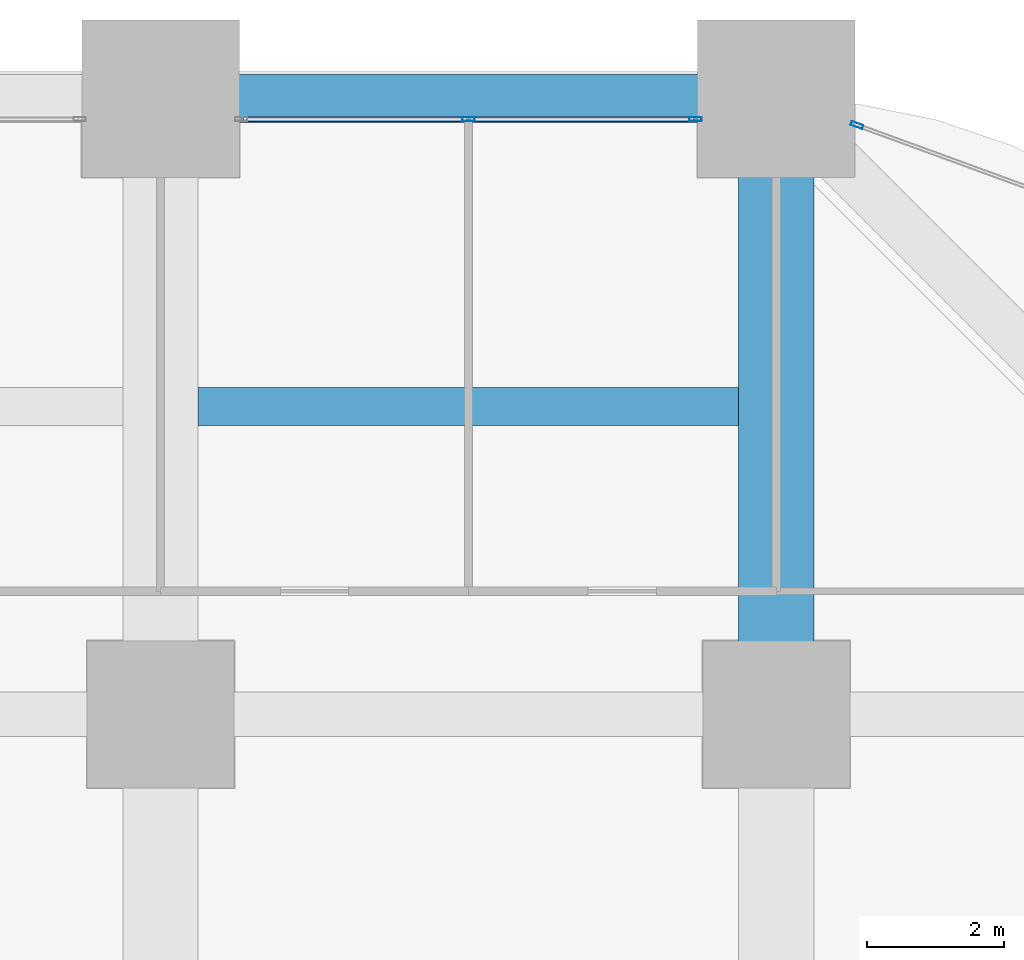
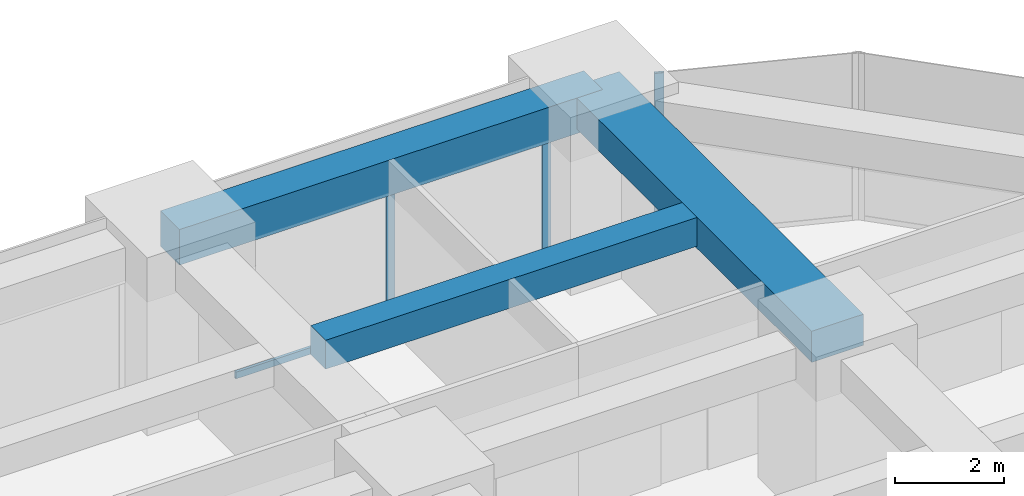
# One storey, part 36 of 44: 4 members, 3 beams, 2 elements without a shape of their own.
"""IFC4 building model written with IfcOpenShell, lengths in metres."""

from ifc_helpers import new_model, si_unit, direction, frame, origin, origin_2d, place, context, subcontext, project, spatial, rectangle, hollow_rectangle, extrude, material, material_profile, profile_set, type_object, element, aggregate, save


model = new_model("IFC4")

# Units and contexts
model_context = context("Model", 3, precision=1e-05, world=origin(), true_north=direction((0.0, 1.0)))
body_context = subcontext(model_context, "Body", "Model", "MODEL_VIEW")
ifc_project = project(units=[si_unit("LENGTHUNIT", "METRE"), si_unit("AREAUNIT", "SQUARE_METRE"), si_unit("VOLUMEUNIT", "CUBIC_METRE"), si_unit("PLANEANGLEUNIT", "RADIAN"), si_unit("MASSUNIT", "GRAM", prefix="KILO")], contexts=[model_context])

# Site, building, storey
site_placement = place(None, origin())
site = spatial("IfcSite", under=ifc_project, at=site_placement, CompositionType="ELEMENT")
building_placement = place(site_placement, origin())
building = spatial("IfcBuilding", under=site, at=building_placement, Name="Zorevar Civic Tower", CompositionType="ELEMENT")
storey_placement = place(building_placement, frame((0.0, 0.0, 59.800048828125)))
storey = spatial("IfcBuildingStorey", under=building, at=storey_placement, Name="L14", CompositionType="ELEMENT", Elevation=59.800048828125)

# Beams
ifc_material_1 = material(Name="Concrete C50/60", Category="concrete")
ifc_material_profile_1 = material_profile(ifc_material_1, rectangle(XDim=1.10009765625, YDim=0.699951171875, at=origin_2d()), Name="RC 1100x700")
ifc_profile_set_1 = profile_set([ifc_material_profile_1], Name="Concrete C50/60")
beam_type_1 = type_object("IfcBeamType", Name="Beam RC 1100x700", PredefinedType="BEAM", material=ifc_profile_set_1)
beam_1_placement = place(storey_placement, frame((54.0, 45.0, 3.39990234375), z_axis=(0.0, 1.0, 0.0), x_axis=(-1.0, 0.0, 0.0)))
element("IfcBeam", 1, at=beam_1_placement, inside=storey, type_object=beam_type_1, Name="Girder L15", PredefinedType="BEAM", context=body_context, shape_type="SweptSolid", body=[
    extrude(rectangle(XDim=1.10009765625, YDim=0.699951171875, at=origin_2d()), origin(), (0.0, 0.0, 1.0), 9.0),
])
ifc_material_2 = material(Name="Concrete C50/60", Category="concrete")
ifc_material_profile_2 = material_profile(ifc_material_2, rectangle(XDim=0.550048828125, YDim=0.64990234375, at=origin_2d()), Name="RC 550x650")
ifc_profile_set_2 = profile_set([ifc_material_profile_2], Name="Concrete C50/60")
beam_type_2 = type_object("IfcBeamType", Name="Beam RC 550x650", PredefinedType="BEAM", material=ifc_profile_set_2)
beam_2_placement = place(storey_placement, frame((45.550048828125, 49.5, 3.425048828125), z_axis=(1.0, 0.0, 0.0), x_axis=(0.0, 1.0, 0.0)))
element("IfcBeam", 2, at=beam_2_placement, inside=storey, type_object=beam_type_2, Name="Secondary beam L15", PredefinedType="BEAM", context=body_context, shape_type="SweptSolid", body=[
    extrude(rectangle(XDim=0.550048828125, YDim=0.64990234375, at=origin_2d()), origin(), (0.0, 0.0, 1.0), 7.89990234375),
])

# Curtain wall, members
ifc_material_3 = material(Name="Dark grey solar-control glass in black aluminium frame", Category="aluminium")
curtain_wall_type = type_object("IfcCurtainWallType", Name="Curtain wall CW2 low zone", PredefinedType="NOTDEFINED", material=ifc_material_3)
curtain_wall_1_placement = place(storey_placement, origin())
curtain_wall_1 = element("IfcCurtainWall", 3, at=curtain_wall_1_placement, inside=storey, type_object=curtain_wall_type, Name="CW2 L14", PredefinedType="NOTDEFINED")
ifc_material_4 = material(Name="Aluminium, black anodised", Category="aluminium")
ifc_material_profile_3 = material_profile(ifc_material_4, hollow_rectangle(XDim=0.06005859375, YDim=0.179931640625, WallThickness=0.00390625, at=origin_2d()), Name="AL 180x60x4")
ifc_profile_set_3 = profile_set([ifc_material_profile_3], Name="Aluminium, black anodised")
member_type_1 = type_object("IfcMemberType", Name="CW2 mullion AL 180x60x4", PredefinedType="MULLION", material=ifc_profile_set_3)
member_1_placement = place(storey_placement, frame((49.5, 53.699951171875, 0.06005859375), z_axis=(0.0, 0.0, 1.0), x_axis=(0.0, 1.0, 0.0)))
member_1 = element("IfcMember", 4, at=member_1_placement, type_object=member_type_1, Name="CW2 mullion 2", PredefinedType="MULLION", context=body_context, shape_type="SweptSolid", body=[
    extrude(hollow_rectangle(XDim=0.06005859375, YDim=0.179931640625, WallThickness=0.00390625, at=origin_2d()), origin(), (0.0, 0.0, 1.0), 2.889892578125),
])
member_2_placement = place(storey_placement, frame((52.820068359375, 53.699951171875, 0.0), z_axis=(0.0, 0.0, 1.0), x_axis=(0.0, 1.0, 0.0)))
member_2 = element("IfcMember", 5, at=member_2_placement, type_object=member_type_1, Name="CW2 mullion 3", PredefinedType="MULLION", context=body_context, shape_type="SweptSolid", body=[
    extrude(hollow_rectangle(XDim=0.06005859375, YDim=0.179931640625, WallThickness=0.00390625, at=origin_2d()), origin(), (0.0, 0.0, 1.0), 2.949951171875),
])

# Curtain wall, member
curtain_wall_2_placement = place(storey_placement, origin())
curtain_wall_2 = element("IfcCurtainWall", 6, at=curtain_wall_2_placement, inside=storey, type_object=curtain_wall_type, Name="CW2 L14", PredefinedType="NOTDEFINED")
member_3_placement = place(storey_placement, frame((55.17822265625, 53.61328125, 0.0), z_axis=(0.0, 0.0, 1.0), x_axis=(-0.343060400701, -0.939313345732, 0.0)))
member_3 = element("IfcMember", 7, at=member_3_placement, type_object=member_type_1, Name="CW2 mullion 2", PredefinedType="MULLION", context=body_context, shape_type="SweptSolid", body=[
    extrude(hollow_rectangle(XDim=0.06005859375, YDim=0.179931640625, WallThickness=0.00390625, at=origin_2d()), origin(), (0.0, 0.0, 1.0), 3.75),
])
aggregate(curtain_wall_2, [member_3])

# Member
ifc_material_5 = material(Name="Aluminium, black anodised", Category="aluminium")
ifc_material_profile_4 = material_profile(ifc_material_5, hollow_rectangle(XDim=0.06005859375, YDim=0.14990234375, WallThickness=0.00390625, at=origin_2d()), Name="AL 150x60x4")
ifc_profile_set_4 = profile_set([ifc_material_profile_4], Name="Aluminium, black anodised")
member_type_2 = type_object("IfcMemberType", Name="CW2 transom AL 150x60x4", PredefinedType="USERDEFINED", material=ifc_profile_set_4)
member_4_placement = place(storey_placement, frame((46.2099609375, 53.699951171875, 0.030029296875), z_axis=(1.0, 0.0, 0.0), x_axis=(0.0, 1.0, 0.0)))
member_4 = element("IfcMember", 8, at=member_4_placement, type_object=member_type_2, Name="CW2 sill transom", ObjectType="TRANSOM", PredefinedType="USERDEFINED", context=body_context, shape_type="SweptSolid", body=[
    extrude(hollow_rectangle(XDim=0.06005859375, YDim=0.14990234375, WallThickness=0.00390625, at=origin_2d()), origin(), (0.0, 0.0, 1.0), 6.580078125),
])

aggregate(curtain_wall_1, [member_1, member_2, member_4])

# Beam
ifc_material_6 = material(Name="Concrete C50/60", Category="concrete")
ifc_material_profile_5 = material_profile(ifc_material_6, rectangle(XDim=0.699951171875, YDim=0.800048828125, at=origin_2d()), Name="RC 700x800")
ifc_profile_set_5 = profile_set([ifc_material_profile_5], Name="Concrete C50/60")
beam_type_3 = type_object("IfcBeamType", Name="Edge beam RC 700x800", PredefinedType="SPANDREL", material=ifc_profile_set_5)
beam_3_placement = place(storey_placement, frame((45.0, 54.0, 3.349853515625), z_axis=(1.0, 0.0, 0.0), x_axis=(0.0, 1.0, 0.0)))
element("IfcBeam", 9, at=beam_3_placement, inside=storey, type_object=beam_type_3, Name="Edge beam L15", PredefinedType="SPANDREL", context=body_context, shape_type="SweptSolid", body=[
    extrude(rectangle(XDim=0.699951171875, YDim=0.800048828125, at=origin_2d()), origin(), (0.0, 0.0, 1.0), 9.0),
])

save(model, "model.ifc")
